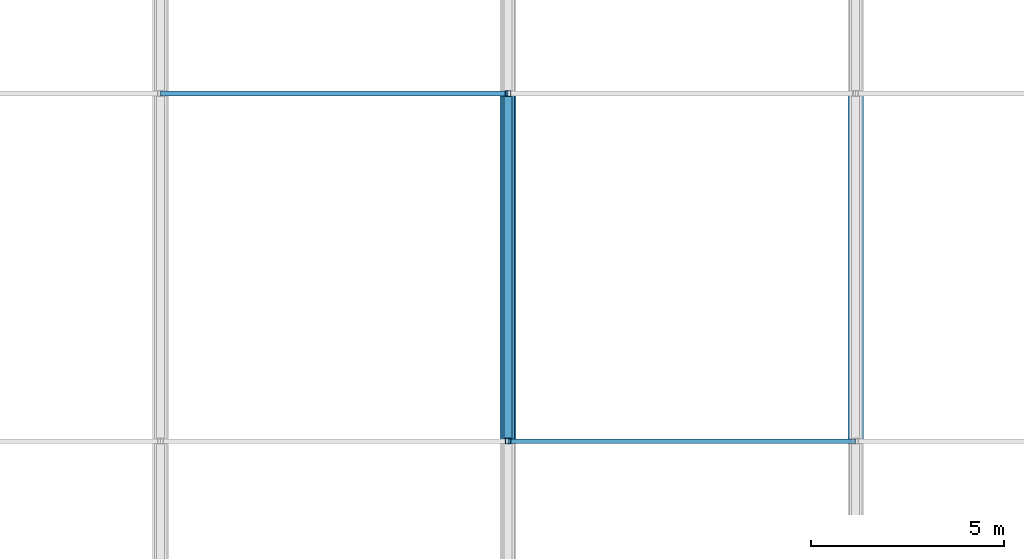
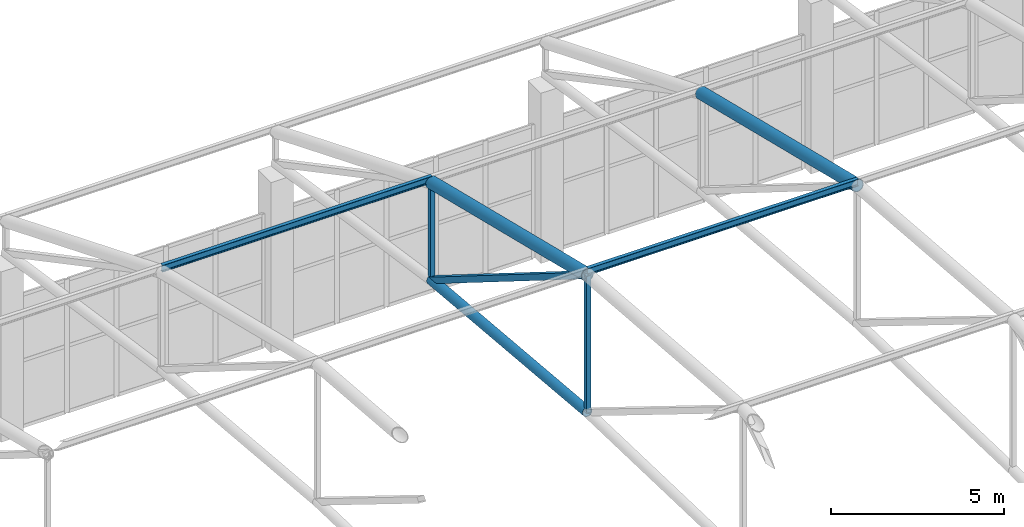
# One storey, part 137 of 223: 8 members.
"""IFC4 building model written with IfcOpenShell, lengths in metres."""

from ifc_helpers import new_model, si_unit, direction, frame, origin, origin_2d, place, context, subcontext, project, spatial, hollow_rectangle, hollow_circle, i_section, extrude, material, material_profile, profile_set, type_object, element, save


model = new_model("IFC4")

# Units and contexts
model_context = context("Model", 3, precision=1e-05, world=origin(), true_north=direction((0.0, 1.0)))
body_context = subcontext(model_context, "Body", "Model", "MODEL_VIEW")
ifc_project = project(units=[si_unit("LENGTHUNIT", "METRE"), si_unit("AREAUNIT", "SQUARE_METRE"), si_unit("VOLUMEUNIT", "CUBIC_METRE"), si_unit("PLANEANGLEUNIT", "RADIAN"), si_unit("MASSUNIT", "GRAM", prefix="KILO")], contexts=[model_context])

# Site, building, storey
site_placement = place(None, origin())
site = spatial("IfcSite", under=ifc_project, at=site_placement, CompositionType="ELEMENT")
building_placement = place(site_placement, origin())
building = spatial("IfcBuilding", under=site, at=building_placement, Name="Dornveld Trade and Exhibition Forum", CompositionType="ELEMENT")
storey_placement = place(building_placement, frame((0.0, 0.0, 6.0)))
storey = spatial("IfcBuildingStorey", under=building, at=storey_placement, Name="L01", CompositionType="ELEMENT", Elevation=6.0)

# Members
ifc_material_1 = material(Name="Steel S355J2", Category="steel")
ifc_material_profile_1 = material_profile(ifc_material_1, hollow_circle(Radius=0.161865234375, WallThickness=0.01611328125, at=origin_2d()), Name="CHS 323.9x16")
ifc_profile_set_1 = profile_set([ifc_material_profile_1], Name="Steel S355J2")
member_type_1 = type_object("IfcMemberType", Name="MEM-ARCH-BC", PredefinedType="CHORD", material=ifc_profile_set_1)
member_1_placement = place(storey_placement, frame((135.0, 144.0, 8.4833984375), z_axis=(0.0, 0.996072164085, -0.088545151956), x_axis=(-1.0, 0.0, 0.0)))
element("IfcMember", 1, at=member_1_placement, inside=storey, type_object=member_type_1, Name="H1 truss 5 tie chord 5", PredefinedType="CHORD", context=body_context, shape_type="SweptSolid", body=[
    extrude(hollow_circle(Radius=0.161865234375, WallThickness=0.01611328125, at=origin_2d()), origin(), (0.0, 0.0, 1.0), 9.035400390625),
])
ifc_material_2 = material(Name="Steel S355J2", Category="steel")
ifc_material_profile_2 = material_profile(ifc_material_2, hollow_rectangle(XDim=0.14990234375, YDim=0.14990234375, WallThickness=0.008056640625, at=origin_2d()), Name="SHS 150x150x8")
ifc_profile_set_2 = profile_set([ifc_material_profile_2], Name="Steel S355J2")
member_type_2 = type_object("IfcMemberType", Name="MEM-ARCH-STR", PredefinedType="STRUT", material=ifc_profile_set_2)
member_2_placement = place(storey_placement, frame((135.0, 144.0, 8.4833984375), z_axis=(0.0, 0.0, 1.0), x_axis=(1.0, 0.0, 0.0)))
element("IfcMember", 2, at=member_2_placement, inside=storey, type_object=member_type_2, Name="H1 truss 5 strut 5", PredefinedType="STRUT", context=body_context, shape_type="SweptSolid", body=[
    extrude(hollow_rectangle(XDim=0.14990234375, YDim=0.14990234375, WallThickness=0.008056640625, at=origin_2d()), origin(), (0.0, 0.0, 1.0), 4.833251953125),
])
member_3_placement = place(storey_placement, frame((135.0, 153.0, 7.683349609375), z_axis=(0.0, 0.0, 1.0), x_axis=(1.0, 0.0, 0.0)))
element("IfcMember", 3, at=member_3_placement, inside=storey, type_object=member_type_2, Name="H1 truss 5 strut 6", PredefinedType="STRUT", context=body_context, shape_type="SweptSolid", body=[
    extrude(hollow_rectangle(XDim=0.14990234375, YDim=0.14990234375, WallThickness=0.008056640625, at=origin_2d()), origin(), (0.0, 0.0, 1.0), 3.433349609375),
])
ifc_material_3 = material(Name="Steel S355J2", Category="steel")
ifc_material_profile_3 = material_profile(ifc_material_3, hollow_circle(Radius=0.203125, WallThickness=0.02001953125, at=origin_2d()), Name="CHS 406.4x20")
ifc_profile_set_3 = profile_set([ifc_material_profile_3], Name="Steel S355J2")
member_type_3 = type_object("IfcMemberType", Name="MEM-ARCH-TC", PredefinedType="CHORD", material=ifc_profile_set_3)
for number, where, z_axis, x_axis, name in (
    (4, (135.0, 144.0, 13.316650390625), (0.0, 0.971400222114, -0.237448117444), (-1.0, 0.0, 0.0), "H1 truss 5 top chord 5"),
    (5, (144.0, 144.0, 13.316650390625), (0.0, 0.971400222114, -0.237448117444), (-1.0, 0.0, 0.0), "H1 truss 6 top chord 5"),
):
    element("IfcMember", number, at=place(storey_placement, frame(where, z_axis=z_axis, x_axis=x_axis)), inside=storey, type_object=member_type_3, Name=name, PredefinedType="CHORD", context=body_context, shape_type="SweptSolid", body=[
        extrude(hollow_circle(Radius=0.203125, WallThickness=0.02001953125, at=origin_2d()), origin(), (0.0, 0.0, 1.0), 9.264892578125),
    ])
ifc_material_4 = material(Name="Steel S355J2", Category="steel")
ifc_material_profile_4 = material_profile(ifc_material_4, hollow_rectangle(XDim=0.199951171875, YDim=0.199951171875, WallThickness=0.010009765625, at=origin_2d()), Name="SHS 200x200x10")
ifc_profile_set_4 = profile_set([ifc_material_profile_4], Name="Steel S355J2")
member_type_4 = type_object("IfcMemberType", Name="MEM-ARCH-WEB", PredefinedType="BRACE", material=ifc_profile_set_4)
member_4_placement = place(storey_placement, frame((135.0, 153.0, 7.683349609375), z_axis=(0.0, -0.847646750348, 0.530561011218), x_axis=(1.0, 0.0, 0.0)))
element("IfcMember", 6, at=member_4_placement, inside=storey, type_object=member_type_4, Name="H1 truss 5 web 5", PredefinedType="BRACE", context=body_context, shape_type="SweptSolid", body=[
    extrude(hollow_rectangle(XDim=0.199951171875, YDim=0.199951171875, WallThickness=0.010009765625, at=origin_2d()), origin(), (0.0, 0.0, 1.0), 10.61767578125),
])
ifc_material_5 = material(Name="Steel S355J2", Category="steel")
ifc_material_profile_5 = material_profile(ifc_material_5, i_section(OverallWidth=0.1201171875, OverallDepth=0.239990234375, WebThickness=0.006103515625, FlangeThickness=0.009765625, FilletRadius=0.014892578125, at=origin_2d()), Name="IPE 240")
ifc_profile_set_5 = profile_set([ifc_material_profile_5], Name="Steel S355J2")
member_type_5 = type_object("IfcMemberType", Name="MEM-PURLIN-240", PredefinedType="PURLIN", material=ifc_profile_set_5)
for number, where, z_axis, x_axis, name in (
    (7, (126.0, 153.0, 11.248779296875), (1.0, 0.0, 0.0), (0.0, 1.0, 0.0), "H1 bay 4 roof purlin 6"),
    (8, (135.0, 144.0, 13.44873046875), (1.0, 0.0, 0.0), (0.0, 1.0, 0.0), "H1 bay 5 roof purlin 5"),
):
    element("IfcMember", number, at=place(storey_placement, frame(where, z_axis=z_axis, x_axis=x_axis)), inside=storey, type_object=member_type_5, Name=name, PredefinedType="PURLIN", context=body_context, shape_type="SweptSolid", body=[
        extrude(i_section(OverallWidth=0.1201171875, OverallDepth=0.239990234375, WebThickness=0.006103515625, FlangeThickness=0.009765625, FilletRadius=0.014892578125, at=origin_2d()), origin(), (0.0, 0.0, 1.0), 9.0),
    ])

save(model, "model.ifc")
